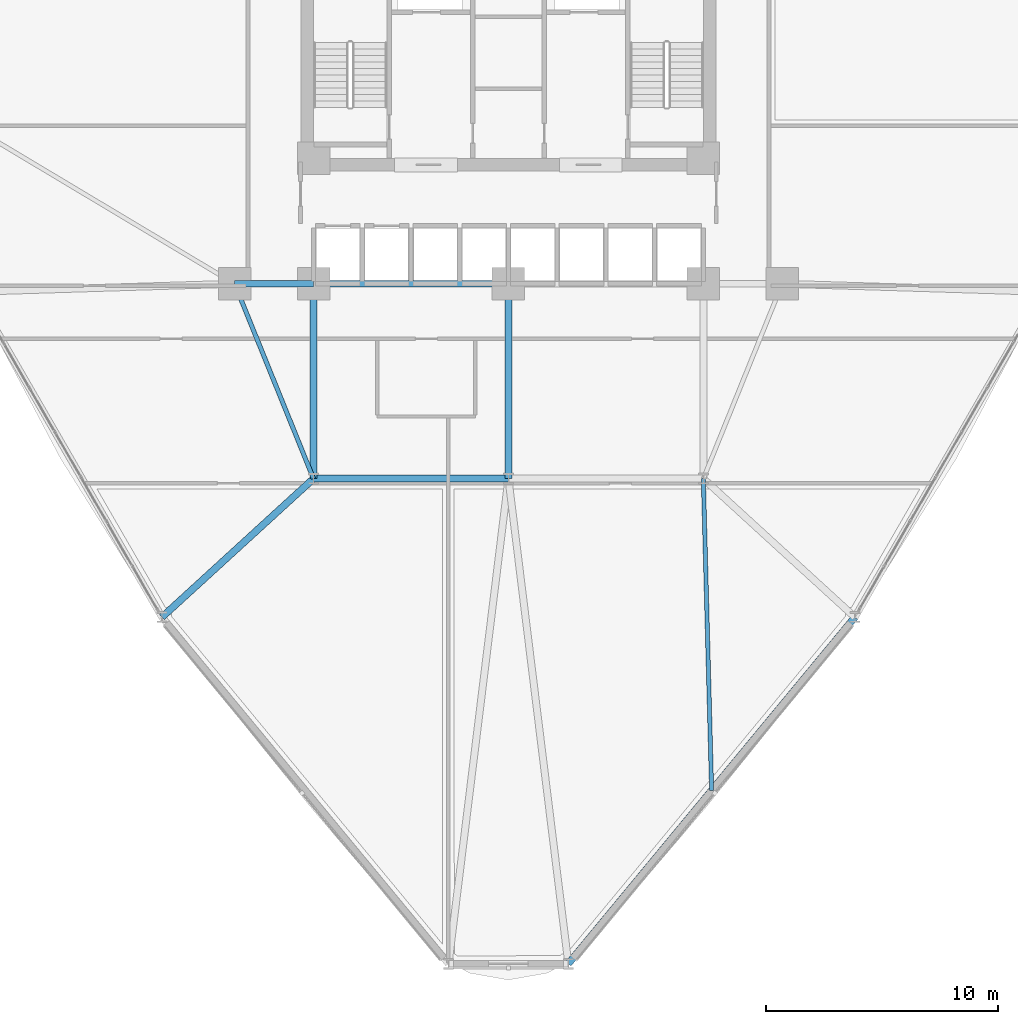
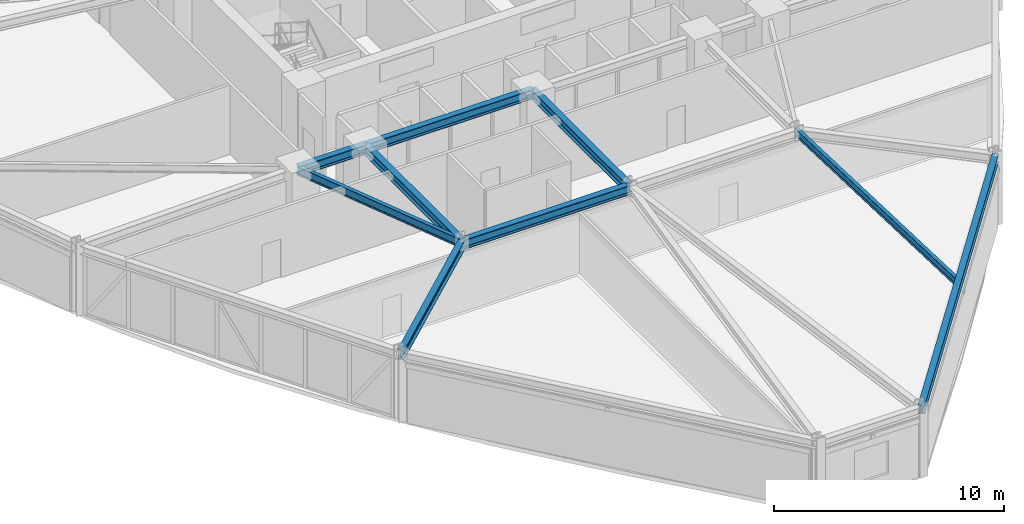
# One storey, part 5 of 21: 9 beams.
"""IFC4 building model written with IfcOpenShell, lengths in metres."""

from ifc_helpers import new_model, si_unit, derived_unit, direction, frame, origin, origin_2d, place, context, subcontext, project, spatial, i_section, extrude, source, transform, mapped, material, material_profile, profile_set, type_object, element, save


model = new_model("IFC4")

# Units and contexts
model_context = context("Model", 3, precision=1e-05, world=origin(), true_north=direction((0.0, 1.0)))
body_context = subcontext(model_context, "Body", "Model", "MODEL_VIEW")
ifc_project = project(units=[si_unit("LENGTHUNIT", "METRE"), si_unit("AREAUNIT", "SQUARE_METRE"), si_unit("VOLUMEUNIT", "CUBIC_METRE"), si_unit("PLANEANGLEUNIT", "RADIAN"), si_unit("MASSUNIT", "GRAM", prefix="KILO"), derived_unit("THERMALTRANSMITTANCEUNIT", [(si_unit("POWERUNIT", "WATT"), 1), (si_unit("LENGTHUNIT", "METRE"), -2), (si_unit("THERMODYNAMICTEMPERATUREUNIT", "KELVIN"), -1)])], contexts=[model_context])

# Site, building, storey
site_placement = place(None, origin())
site = spatial("IfcSite", under=ifc_project, at=site_placement, CompositionType="ELEMENT")
building_placement = place(site_placement, origin())
building = spatial("IfcBuilding", under=site, at=building_placement, Name="Korsvarv Bourse and Concert Hall", CompositionType="ELEMENT")
storey_placement = place(building_placement, frame((0.0, 0.0, 27.89990234375)))
storey = spatial("IfcBuildingStorey", under=building, at=storey_placement, Name="L06", CompositionType="ELEMENT", Elevation=27.89990234375)

# Beams
ifc_material = material(Name="Steel S355", Category="steel")
ifc_material_profile_1 = material_profile(ifc_material, i_section(OverallWidth=0.300048828125, OverallDepth=0.5, WebThickness=0.014404296875, FlangeThickness=0.028076171875, FilletRadius=0.02392578125, at=origin_2d()), Name="HEB 500")
ifc_profile_set_1 = profile_set([ifc_material_profile_1], Name="Steel S355")
beam_type_1 = type_object("IfcBeamType", Name="BM-HEB500", PredefinedType="BEAM", material=ifc_profile_set_1)
shared_shape_1 = source(origin(), body_context, "Body", "SweptSolid", [
    extrude(i_section(OverallWidth=0.300048828125, OverallDepth=0.5, WebThickness=0.014404296875, FlangeThickness=0.028076171875, FilletRadius=0.02392578125, at=origin_2d()), origin(), (0.0, 0.0, 1.0), 3.400146484375),
])
beam_1_placement = place(storey_placement, frame((24.199951171875, 32.39990234375, 3.43017578125), z_axis=(1.0, 0.0, 0.0), x_axis=(0.0, 1.0, 0.0)))
element("IfcBeam", 1, at=beam_1_placement, inside=storey, type_object=beam_type_1, Name="L06 beam B-07", PredefinedType="BEAM", context=body_context, shape_type="MappedRepresentation", body=[
    mapped(shared_shape_1, transform((0.0, 0.0, 0.0), scale=1.0)),
])
shared_shape_2 = source(origin(), body_context, "Body", "SweptSolid", [
    extrude(i_section(OverallWidth=0.300048828125, OverallDepth=0.5, WebThickness=0.014404296875, FlangeThickness=0.028076171875, FilletRadius=0.02392578125, at=origin_2d()), origin(), (0.0, 0.0, 1.0), 8.39990234375),
])
for number, where, z_axis, x_axis, name in (
    (2, (27.60009765625, 32.39990234375, 3.43017578125), (1.0, 0.0, 0.0), (0.0, 1.0, 0.0), "L06 beam B-07"),
    (3, (27.60009765625, 24.0, 3.43017578125), (1.0, 0.0, 0.0), (0.0, 1.0, 0.0), "L06 beam B-07"),
    (4, (27.60009765625, 24.0, 3.43017578125), (0.0, 1.0, 0.0), (-1.0, 0.0, 0.0), "L06 beam B-07"),
    (5, (36.0, 24.0, 3.43017578125), (0.0, 1.0, 0.0), (-1.0, 0.0, 0.0), "L06 beam B-07"),
):
    element("IfcBeam", number, at=place(storey_placement, frame(where, z_axis=z_axis, x_axis=x_axis)), inside=storey, type_object=beam_type_1, Name=name, PredefinedType="BEAM", context=body_context, shape_type="MappedRepresentation", body=[
        mapped(shared_shape_2, transform((0.0, 0.0, 0.0), scale=1.0)),
    ])
ifc_material_profile_2 = material_profile(ifc_material, i_section(OverallWidth=0.300048828125, OverallDepth=0.449951171875, WebThickness=0.013916015625, FlangeThickness=0.02587890625, FilletRadius=0.02099609375, at=origin_2d()), Name="HEB 450")
ifc_profile_set_2 = profile_set([ifc_material_profile_2], Name="Steel S355")
beam_type_2 = type_object("IfcBeamType", Name="BM-HEB450", PredefinedType="SPANDREL", material=ifc_profile_set_2)
shared_shape_3 = source(origin(), body_context, "Body", "SweptSolid", [
    extrude(i_section(OverallWidth=0.300048828125, OverallDepth=0.449951171875, WebThickness=0.013916015625, FlangeThickness=0.02587890625, FilletRadius=0.02099609375, at=origin_2d()), origin(), (0.0, 0.0, 1.0), 19.380126953125),
])
beam_2_placement = place(storey_placement, frame((38.581787109375, 3.09375, 3.455078125), z_axis=(0.637270402598, 0.770640275338, 0.0), x_axis=(-0.770640275338, 0.637270402598, 0.0)))
element("IfcBeam", 6, at=beam_2_placement, inside=storey, type_object=beam_type_2, Name="L06 beam B-08", PredefinedType="SPANDREL", context=body_context, shape_type="MappedRepresentation", body=[
    mapped(shared_shape_3, transform((0.0, 0.0, 0.0), scale=1.0)),
])
shared_shape_4 = source(origin(), body_context, "Body", "SweptSolid", [
    extrude(i_section(OverallWidth=0.300048828125, OverallDepth=0.5, WebThickness=0.014404296875, FlangeThickness=0.028076171875, FilletRadius=0.02392578125, at=origin_2d()), origin(), (0.0, 0.0, 1.0), 8.85009765625),
])
beam_3_placement = place(storey_placement, frame((21.06787109375, 18.02880859375, 3.43017578125), z_axis=(0.738092395249, 0.674699648789, 0.0), x_axis=(-0.674699648789, 0.738092395249, 0.0)))
element("IfcBeam", 7, at=beam_3_placement, inside=storey, type_object=beam_type_1, Name="L06 beam B-07", PredefinedType="BEAM", context=body_context, shape_type="MappedRepresentation", body=[
    mapped(shared_shape_4, transform((0.0, 0.0, 0.0), scale=1.0)),
])
ifc_material_profile_3 = material_profile(ifc_material, i_section(OverallWidth=0.18994140625, OverallDepth=0.449951171875, WebThickness=0.009521484375, FlangeThickness=0.0146484375, FilletRadius=0.02099609375, at=origin_2d()), Name="IPE 450")
ifc_profile_set_3 = profile_set([ifc_material_profile_3], Name="Steel S355")
beam_type_3 = type_object("IfcBeamType", Name="BM-IPE450", PredefinedType="JOIST", material=ifc_profile_set_3)
shared_shape_5 = source(origin(), body_context, "Body", "SweptSolid", [
    extrude(i_section(OverallWidth=0.18994140625, OverallDepth=0.449951171875, WebThickness=0.009521484375, FlangeThickness=0.0146484375, FilletRadius=0.02099609375, at=origin_2d()), origin(), (0.0, 0.0, 1.0), 9.06201171875),
])
beam_4_placement = place(storey_placement, frame((24.199951171875, 32.39990234375, 3.455078125), z_axis=(0.375210394783, -0.926939674222, 0.0), x_axis=(0.926939674222, 0.375210394783, 0.0)))
element("IfcBeam", 8, at=beam_4_placement, inside=storey, type_object=beam_type_3, Name="L06 beam J-04", PredefinedType="JOIST", context=body_context, shape_type="MappedRepresentation", body=[
    mapped(shared_shape_5, transform((0.0, 0.0, 0.0), scale=1.0)),
])
ifc_material_profile_4 = material_profile(ifc_material, i_section(OverallWidth=0.179931640625, OverallDepth=0.39990234375, WebThickness=0.008544921875, FlangeThickness=0.013427734375, FilletRadius=0.02099609375, at=origin_2d()), Name="IPE 400")
ifc_profile_set_4 = profile_set([ifc_material_profile_4], Name="Steel S355")
beam_type_4 = type_object("IfcBeamType", Name="BM-IPE400", PredefinedType="JOIST", material=ifc_profile_set_4)
shared_shape_6 = source(origin(), body_context, "Body", "SweptSolid", [
    extrude(i_section(OverallWidth=0.179931640625, OverallDepth=0.39990234375, WebThickness=0.008544921875, FlangeThickness=0.013427734375, FilletRadius=0.02099609375, at=origin_2d()), origin(), (0.0, 0.0, 1.0), 13.443359375),
])
beam_5_placement = place(storey_placement, frame((44.757080078125, 10.561279296875, 3.47998046875), z_axis=(-0.026568871639, 0.99964698522, 0.0), x_axis=(-0.99964698522, -0.026568871639, 0.0)))
element("IfcBeam", 9, at=beam_5_placement, inside=storey, type_object=beam_type_4, Name="L06 beam J-05", PredefinedType="JOIST", context=body_context, shape_type="MappedRepresentation", body=[
    mapped(shared_shape_6, transform((0.0, 0.0, 0.0), scale=1.0)),
])

save(model, "model.ifc")
